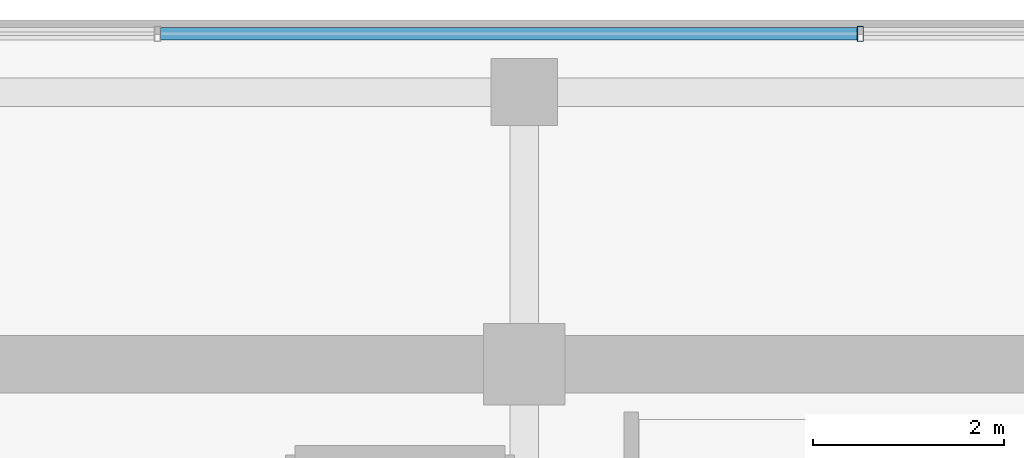
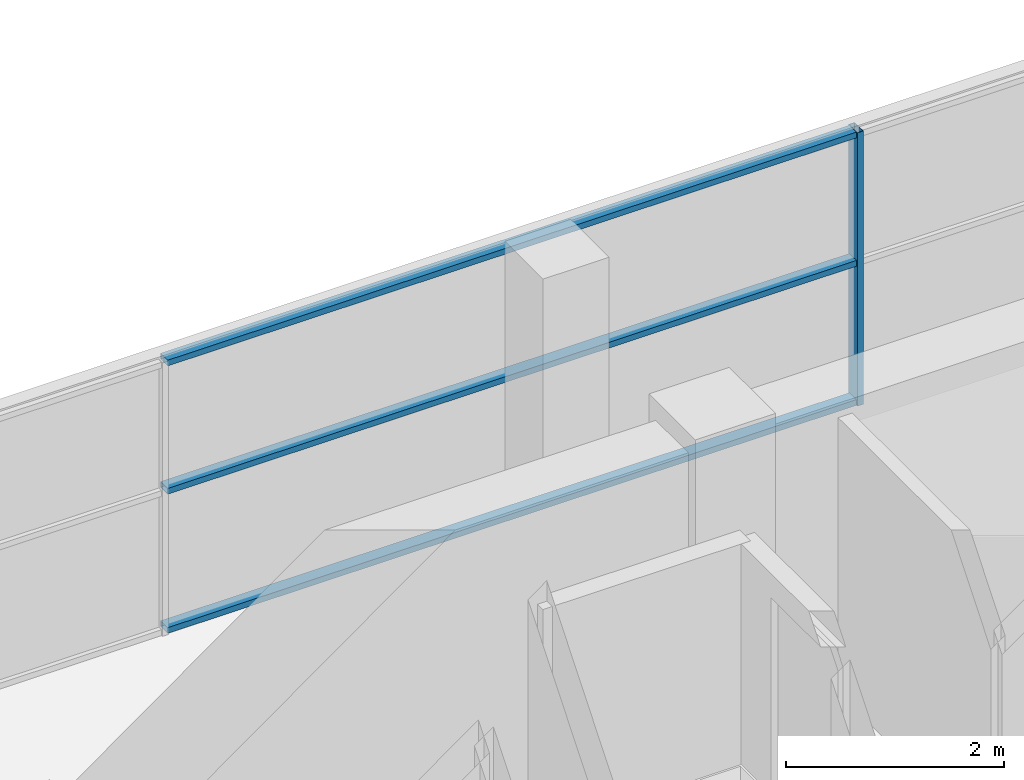
# One storey, part 17 of 28: 4 members, 1 element without a shape of its own.
"""IFC4 building model written with IfcOpenShell, lengths in metres."""

from ifc_helpers import new_model, si_unit, direction, frame, origin, origin_2d, place, context, subcontext, project, spatial, hollow_rectangle, extrude, source, transform, mapped, material, layer, layer_set, material_profile, profile_set, type_object, element, aggregate, save


model = new_model("IFC4")

# Units and contexts
model_context = context("Model", 3, precision=1e-05, world=origin(), true_north=direction((0.0, 1.0)))
body_context = subcontext(model_context, "Body", "Model", "MODEL_VIEW")
ifc_project = project(units=[si_unit("LENGTHUNIT", "METRE"), si_unit("AREAUNIT", "SQUARE_METRE"), si_unit("VOLUMEUNIT", "CUBIC_METRE"), si_unit("PLANEANGLEUNIT", "RADIAN"), si_unit("MASSUNIT", "GRAM", prefix="KILO")], contexts=[model_context])

# Site, building, storey
site_placement = place(None, origin())
site = spatial("IfcSite", under=ifc_project, at=site_placement, CompositionType="ELEMENT")
building_placement = place(site_placement, origin())
building = spatial("IfcBuilding", under=site, at=building_placement, Name="Zarnakvel Exchange Tower", CompositionType="ELEMENT")
storey_placement = place(building_placement, frame((0.0, 0.0, 268.300048828125)))
storey = spatial("IfcBuildingStorey", under=building, at=storey_placement, Name="L76", CompositionType="ELEMENT", Elevation=268.300048828125)

# Curtain wall, members
ifc_material = material(Name="Architectural Bronze Anodised Aluminium", Category="aluminium")
ifc_layer = layer(ifc_material, 0.159912109375)
ifc_layer_set = layer_set([ifc_layer], Name="Architectural Bronze Anodised Aluminium")
curtain_wall_type = type_object("IfcCurtainWallType", Name="CW-06", PredefinedType="NOTDEFINED", material=ifc_layer_set)
curtain_wall_placement = place(storey_placement, origin())
curtain_wall = element("IfcCurtainWall", 1, at=curtain_wall_placement, inside=storey, type_object=curtain_wall_type, Name="L76 Curtain Wall CW-L76-N1 (CW-06)", PredefinedType="NOTDEFINED")
ifc_material_profile_1 = material_profile(ifc_material, hollow_rectangle(XDim=0.1298828125, YDim=0.06494140625, WallThickness=0.00390625, at=origin_2d()))
ifc_profile_set_1 = profile_set([ifc_material_profile_1], Name="Architectural Bronze Anodised Aluminium")
member_type_1 = type_object("IfcMemberType", Name="CWT-06", PredefinedType="USERDEFINED", material=ifc_profile_set_1)
shared_shape_1 = source(origin(), body_context, "Body", "SweptSolid", [
    extrude(hollow_rectangle(XDim=0.1298828125, YDim=0.06494140625, WallThickness=0.00390625, at=origin_2d()), origin(), (0.0, 0.0, 1.0), 7.295166015625),
])
member_1_placement = place(storey_placement, frame((-11.007568359375, 16.9599609375, 0.032470703125), z_axis=(1.0, 0.0, 0.0), x_axis=(0.0, 1.0, 0.0)))
member_1 = element("IfcMember", 2, at=member_1_placement, type_object=member_type_1, Name="CW-06 transom 2.1", ObjectType="TRANSOM", PredefinedType="USERDEFINED", context=body_context, shape_type="MappedRepresentation", body=[
    mapped(shared_shape_1, transform((0.0, 0.0, 0.0), x_axis=(1.0, 0.0, 0.0), y_axis=(0.0, 1.0, 0.0), z_axis=(0.0, 0.0, 1.0), scale=1.0)),
])
member_2_placement = place(storey_placement, frame((-11.007568359375, 16.9599609375, 1.591064453125), z_axis=(1.0, 0.0, 0.0), x_axis=(0.0, 1.0, 0.0)))
member_2 = element("IfcMember", 3, at=member_2_placement, type_object=member_type_1, Name="CW-06 transom 2.2", ObjectType="TRANSOM", PredefinedType="USERDEFINED", context=body_context, shape_type="MappedRepresentation", body=[
    mapped(shared_shape_1, transform((0.0, 0.0, 0.0), x_axis=(1.0, 0.0, 0.0), y_axis=(0.0, 1.0, 0.0), z_axis=(0.0, 0.0, 1.0), scale=1.0)),
])
member_3_placement = place(storey_placement, frame((-11.007568359375, 16.9599609375, 3.02734375), z_axis=(1.0, 0.0, 0.0), x_axis=(0.0, 1.0, 0.0)))
member_3 = element("IfcMember", 4, at=member_3_placement, type_object=member_type_1, Name="CW-06 transom 2.3", ObjectType="TRANSOM", PredefinedType="USERDEFINED", context=body_context, shape_type="MappedRepresentation", body=[
    mapped(shared_shape_1, transform((0.0, 0.0, 0.0), x_axis=(1.0, 0.0, 0.0), y_axis=(0.0, 1.0, 0.0), z_axis=(0.0, 0.0, 1.0), scale=1.0)),
])
ifc_material_profile_2 = material_profile(ifc_material, hollow_rectangle(XDim=0.159912109375, YDim=0.06494140625, WallThickness=0.00390625, at=origin_2d()))
ifc_profile_set_2 = profile_set([ifc_material_profile_2], Name="Architectural Bronze Anodised Aluminium")
member_type_2 = type_object("IfcMemberType", Name="CWM-06", PredefinedType="MULLION", material=ifc_profile_set_2)
shared_shape_2 = source(origin(), body_context, "Body", "SweptSolid", [
    extrude(hollow_rectangle(XDim=0.159912109375, YDim=0.06494140625, WallThickness=0.00390625, at=origin_2d()), origin(), (0.0, 0.0, 1.0), 3.06005859375),
])
member_4_placement = place(storey_placement, frame((-3.679931640625, 16.9599609375, 0.0), z_axis=(0.0, 0.0, 1.0), x_axis=(0.0, 1.0, 0.0)))
member_4 = element("IfcMember", 5, at=member_4_placement, type_object=member_type_2, Name="CW-06 mullion 3", PredefinedType="MULLION", context=body_context, shape_type="MappedRepresentation", body=[
    mapped(shared_shape_2, transform((0.0, 0.0, 0.0), x_axis=(1.0, 0.0, 0.0), y_axis=(0.0, 1.0, 0.0), z_axis=(0.0, 0.0, 1.0), scale=1.0)),
])
aggregate(curtain_wall, [member_4, member_1, member_2, member_3])

save(model, "model.ifc")
